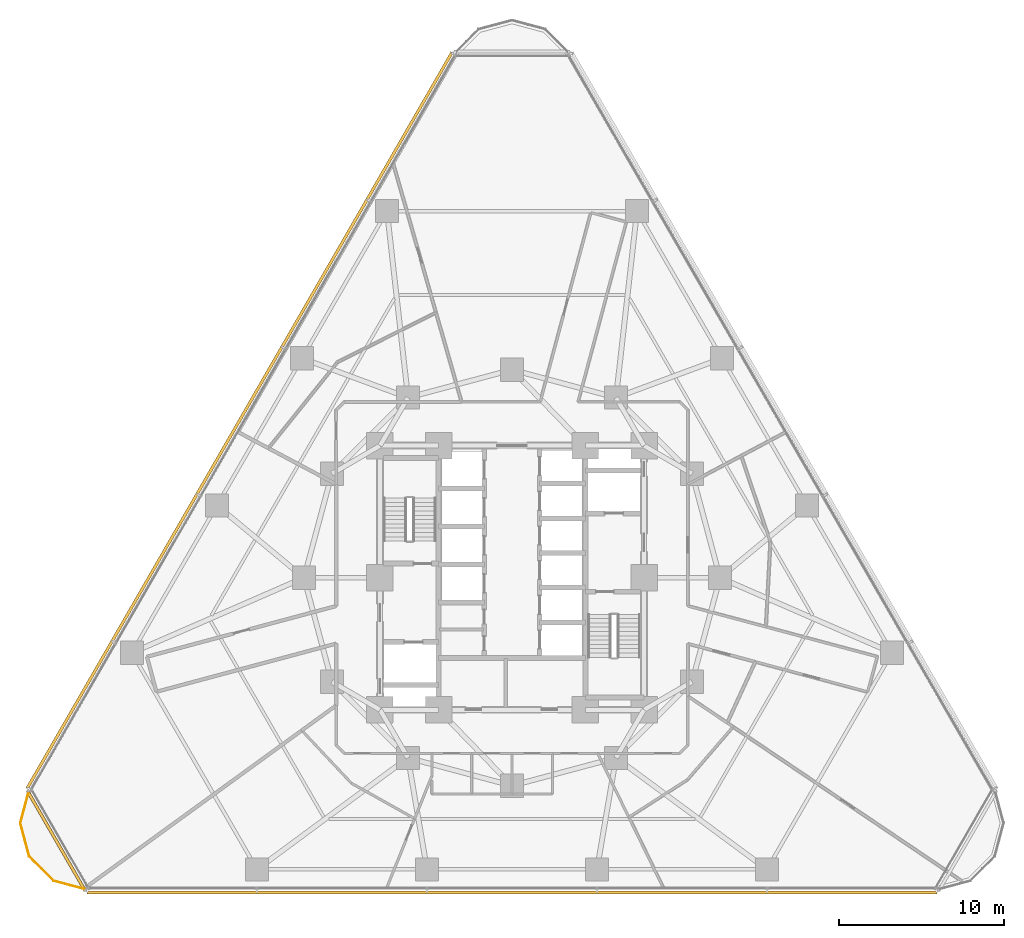
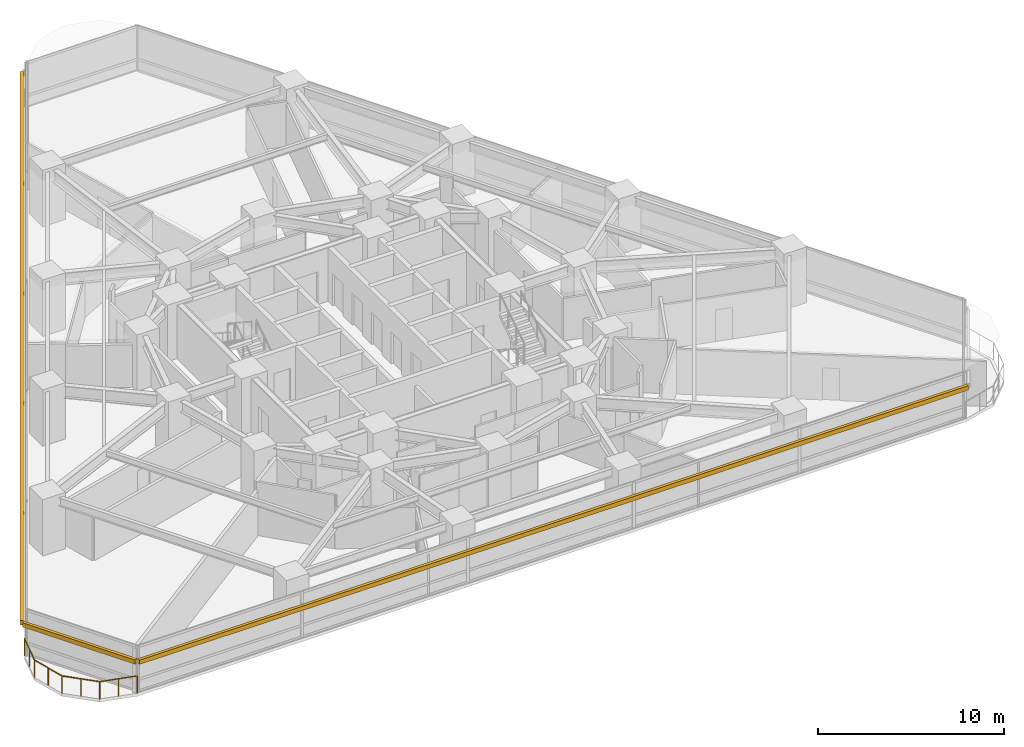
# One storey, part 13 of 16: 3 shading devices, 1 railing.
"""IFC4 building model written with IfcOpenShell, lengths in metres."""

from ifc_helpers import new_model, si_unit, direction, frame, origin, origin_2d, place, context, subcontext, project, spatial, rectangle, circle, extrude, material, layer, layer_set, type_object, element, save


model = new_model("IFC4")

# Units and contexts
model_context = context("Model", 3, precision=1e-05, world=origin(), true_north=direction((0.0, 1.0)))
body_context = subcontext(model_context, "Body", "Model", "MODEL_VIEW")
ifc_project = project(units=[si_unit("LENGTHUNIT", "METRE"), si_unit("AREAUNIT", "SQUARE_METRE"), si_unit("VOLUMEUNIT", "CUBIC_METRE"), si_unit("PLANEANGLEUNIT", "RADIAN"), si_unit("MASSUNIT", "GRAM", prefix="KILO")], contexts=[model_context])

# Site, building, storey
site_placement = place(None, origin())
site = spatial("IfcSite", under=ifc_project, at=site_placement, CompositionType="ELEMENT")
building_placement = place(site_placement, origin())
building = spatial("IfcBuilding", under=site, at=building_placement, Name="Terralouvre Media Tower", CompositionType="ELEMENT")
storey_placement = place(building_placement, frame((0.0, 0.0, 37.10009765625)))
storey = spatial("IfcBuildingStorey", under=building, at=storey_placement, Name="L08", CompositionType="ELEMENT", Elevation=37.10009765625)

# Railing
ifc_material_1 = material(Name="Stainless steel 316 handrail and balustrade", Category="steel")
ifc_layer = layer(ifc_material_1, 0.06005859375, Name="Roof Edge Safety Guardrail GR-ROOF1")
ifc_layer_set = layer_set([ifc_layer], Name="Stainless steel 316 handrail and balustrade")
railing_type = type_object("IfcRailingType", Name="Roof Edge Safety Guardrail GR-ROOF1", PredefinedType="GUARDRAIL", material=ifc_layer_set)
railing_placement = place(storey_placement, frame((-29.24365234375, -12.835693359375, 0.0)))
element("IfcRailing", 1, at=railing_placement, inside=storey, type_object=railing_type, Name="L08 Wind-Corner Perimeter Safety Guardrail C0", PredefinedType="GUARDRAIL", context=body_context, shape_type="SweptSolid", body=[
    extrude(circle(Radius=0.02099609375, at=origin_2d()), frame((0.0, 0.0, 1.12890625), z_axis=(-0.259054358605, -0.965862743503, 0.0), x_axis=(0.965862743503, -0.259054358605, 0.0)), (0.0, 0.0, 1.0), 2.095947265625),
    extrude(circle(Radius=0.02099609375, at=origin_2d()), frame((-0.54296875, -2.0244140625, 1.12890625), z_axis=(0.258757438042, -0.965942331745, 0.0), x_axis=(0.965942331745, 0.258757438042, 0.0)), (0.0, 0.0, 1.0), 2.095458984375),
    extrude(circle(Radius=0.02099609375, at=origin_2d()), frame((-0.000732421875, -4.048583984375, 1.12890625), z_axis=(0.707165029613, -0.707048527961, 0.0), x_axis=(0.707048527961, 0.707165029613, 0.0)), (0.0, 0.0, 1.0), 2.095703125),
    extrude(circle(Radius=0.02099609375, at=origin_2d()), frame((1.481201171875, -5.5302734375, 1.12890625), z_axis=(0.965987029675, -0.258590522836, 0.0), x_axis=(0.258590522836, 0.965987029675, 0.0)), (0.0, 0.0, 1.0), 2.095947265625),
    extrude(circle(Radius=0.01904296875, at=origin_2d()), origin(), (0.0, 0.0, 1.0), 1.10791015625),
    extrude(circle(Radius=0.01904296875, at=origin_2d()), frame((-0.271484375, -1.01220703125, 0.0)), (0.0, 0.0, 1.0), 1.10791015625),
    extrude(circle(Radius=0.01904296875, at=origin_2d()), frame((-0.54296875, -2.0244140625, 0.0)), (0.0, 0.0, 1.0), 1.10791015625),
    extrude(circle(Radius=0.01904296875, at=origin_2d()), frame((-0.27197265625, -3.03662109375, 0.0)), (0.0, 0.0, 1.0), 1.10791015625),
    extrude(circle(Radius=0.01904296875, at=origin_2d()), frame((-0.000732421875, -4.048583984375, 0.0)), (0.0, 0.0, 1.0), 1.10791015625),
    extrude(circle(Radius=0.01904296875, at=origin_2d()), frame((0.740234375, -4.78955078125, 0.0)), (0.0, 0.0, 1.0), 1.10791015625),
    extrude(circle(Radius=0.01904296875, at=origin_2d()), frame((1.481201171875, -5.5302734375, 0.0)), (0.0, 0.0, 1.0), 1.10791015625),
    extrude(circle(Radius=0.01904296875, at=origin_2d()), frame((2.49365234375, -5.80126953125, 0.0)), (0.0, 0.0, 1.0), 1.10791015625),
    extrude(circle(Radius=0.01904296875, at=origin_2d()), frame((3.505859375, -6.072265625, 0.0)), (0.0, 0.0, 1.0), 1.10791015625),
])

# Shading devices
ifc_material_2 = material(Name="Extruded terracotta baguette sunshade louvres", Category="masonry")
shading_device_type = type_object("IfcShadingDeviceType", Name="Terracotta Baguette Sunshade Louvre Screen TB-LV1", PredefinedType="USERDEFINED", material=ifc_material_2)
for number, where, z_axis, x_axis, name in (
    (2, (0.0, -19.056884765625, 2.02392578125), (0.0, 0.0, 1.0), (1.0, 0.0, 0.0), "CW-L08-F0 Terracotta Baguette Sunshade Louvre"),
    (3, (-16.503662109375, 9.5283203125, 2.02392578125), (0.0, 0.0, 1.0), (-0.499999985671, -0.866025412057, 0.0), "CW-L08-F2 Terracotta Baguette Sunshade Louvre"),
):
    element("IfcShadingDevice", number, at=place(storey_placement, frame(where, z_axis=z_axis, x_axis=x_axis)), inside=storey, type_object=shading_device_type, Name=name, ObjectType="BAGUETTE", PredefinedType="USERDEFINED", context=body_context, shape_type="SweptSolid", body=[
        extrude(rectangle(XDim=51.5, YDim=0.179931640625, at=origin_2d()), origin(), (0.0, 0.0, 1.0), 0.280029296875),
    ])
shading_device_placement = place(storey_placement, frame((-27.607666015625, -15.939208984375, 2.02392578125), z_axis=(0.0, 0.0, 1.0), x_axis=(0.499999691503, -0.866025581895, 0.0)))
element("IfcShadingDevice", 4, at=shading_device_placement, inside=storey, type_object=shading_device_type, Name="CW-L08-C0 Terracotta Baguette Sunshade Louvre", ObjectType="BAGUETTE", PredefinedType="USERDEFINED", context=body_context, shape_type="SweptSolid", body=[
    extrude(rectangle(XDim=7.014892578125, YDim=0.179931640625, at=origin_2d()), origin(), (0.0, 0.0, 1.0), 0.280029296875),
])

save(model, "model.ifc")
